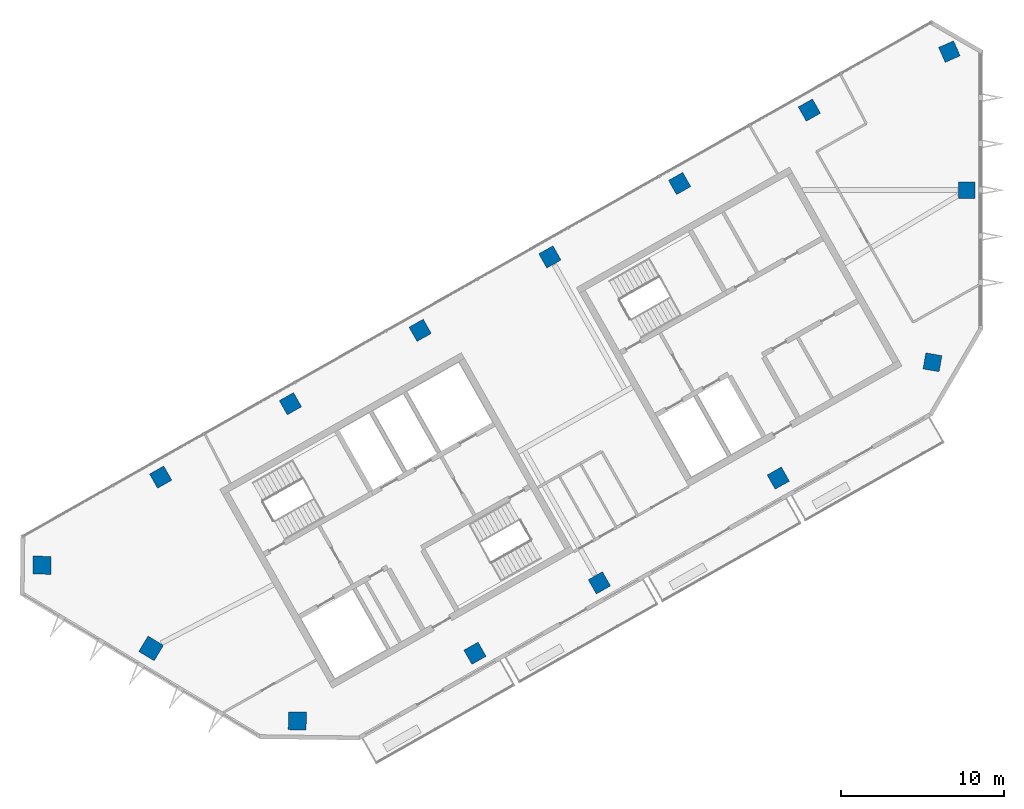
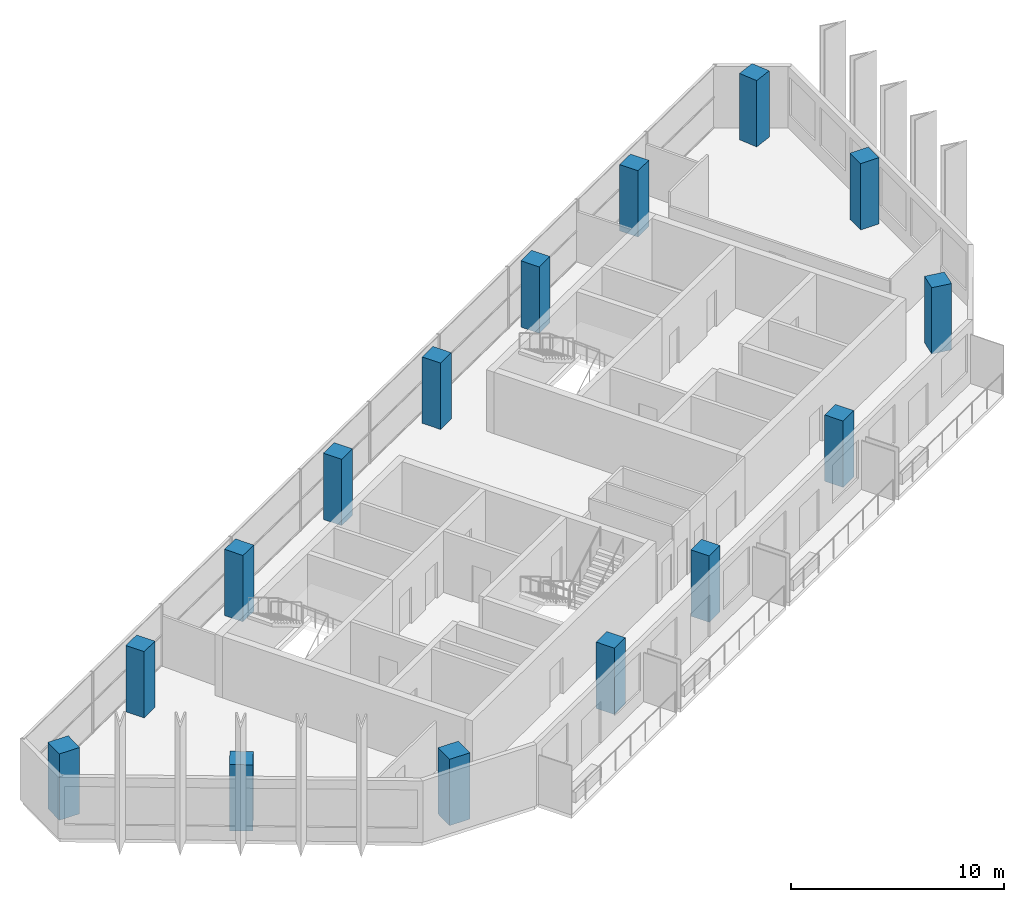
# One storey, part 1 of 10: 15 columns.
"""IFC4 building model written with IfcOpenShell, lengths in metres."""

from ifc_helpers import new_model, si_unit, direction, frame, origin, origin_2d, place, context, subcontext, project, spatial, rectangle, extrude, material, material_profile, profile_set, type_object, element, save


model = new_model("IFC4")

# Units and contexts
model_context = context("Model", 3, precision=1e-05, world=origin(), true_north=direction((0.0, 1.0)))
body_context = subcontext(model_context, "Body", "Model", "MODEL_VIEW")
ifc_project = project(units=[si_unit("LENGTHUNIT", "METRE"), si_unit("AREAUNIT", "SQUARE_METRE"), si_unit("VOLUMEUNIT", "CUBIC_METRE"), si_unit("PLANEANGLEUNIT", "RADIAN"), si_unit("MASSUNIT", "GRAM", prefix="KILO")], contexts=[model_context])

# Site, building, storey
site_placement = place(None, origin())
site = spatial("IfcSite", under=ifc_project, at=site_placement, CompositionType="ELEMENT")
building_placement = place(site_placement, origin())
building = spatial("IfcBuilding", under=site, at=building_placement, Name="Binnacle Exchange Tower", CompositionType="ELEMENT")
storey_placement = place(building_placement, frame((0.0, 0.0, 316.5)))
storey = spatial("IfcBuildingStorey", under=building, at=storey_placement, Name="L71", CompositionType="ELEMENT", Elevation=316.5)

# Columns
ifc_material = material(Name="Concrete C50/60", Category="concrete")
ifc_material_profile_1 = material_profile(ifc_material, rectangle(XDim=1.0, YDim=1.0, at=origin_2d()), Name="Mega column 1000x1000 C50/60")
ifc_profile_set_1 = profile_set([ifc_material_profile_1], Name="Concrete C50/60")
column_type_1 = type_object("IfcColumnType", Name="Mega column 1000x1000 C50/60", PredefinedType="COLUMN", material=ifc_profile_set_1)
for number, where, z_axis, x_axis, name in (
    (1, (-10.4951171875, 64.901611328125, 0.0), (0.0, 0.0, 1.0), (-0.87035569594, -0.492423560103, 0.0), "S:COL:MC38:L71"),
    (2, (-18.44140625, 60.406005859375, 0.0), (0.0, 0.0, 1.0), (-0.87035569594, -0.492423560103, 0.0), "S:COL:MC29:L71"),
    (3, (-26.3876953125, 55.91015625, 0.0), (0.0, 0.0, 1.0), (-0.87035569594, -0.492423560103, 0.0), "S:COL:MC21:L71"),
    (4, (-34.333740234375, 51.414306640625, 0.0), (0.0, 0.0, 1.0), (-0.87035569594, -0.492423560103, 0.0), "S:COL:MC13:L71"),
    (5, (-42.280029296875, 46.918701171875, 0.0), (0.0, 0.0, 1.0), (-0.87035569594, -0.492423560103, 0.0), "S:COL:MC08:L71"),
    (6, (-50.226318359375, 42.4228515625, 0.0), (0.0, 0.0, 1.0), (-0.87035569594, -0.492423560103, 0.0), "S:COL:MC04:L71"),
    (7, (-30.9755859375, 31.63525390625, 0.0), (0.0, 0.0, 1.0), (0.87035569594, 0.492423560103, 0.0), "S:COL:MC07:L71"),
    (8, (-23.35595703125, 35.9462890625, 0.0), (0.0, 0.0, 1.0), (0.87035569594, 0.492423560103, 0.0), "S:COL:MC16:L71"),
    (9, (-2.955322265625, 49.45556640625, 0.0), (0.0, 0.0, 1.0), (-0.98522612636, 0.171258517854, 0.0), "S:COL:MC43:L71"),
    (10, (-0.85009765625, 60.0, 0.0), (0.0, 0.0, 1.0), (0.0, 1.0, 0.0), "S:COL:MC45:L71"),
    (11, (-1.920166015625, 68.4833984375, 0.0), (0.0, 0.0, 1.0), (-0.91471298536, -0.40410413808, 0.0), "S:COL:MC44:L71"),
    (12, (-12.39990234375, 42.36328125, 0.0), (0.0, 0.0, 1.0), (0.87035569594, 0.492423560103, 0.0), "S:COL:MC30:L71"),
):
    element("IfcColumn", number, at=place(storey_placement, frame(where, z_axis=z_axis, x_axis=x_axis)), inside=storey, type_object=column_type_1, Name=name, PredefinedType="COLUMN", context=body_context, shape_type="SweptSolid", body=[
        extrude(rectangle(XDim=1.0, YDim=1.0, at=origin_2d()), origin(), (0.0, 0.0, 1.0), 3.800048828125),
    ])
ifc_material_profile_2 = material_profile(ifc_material, rectangle(XDim=1.10009765625, YDim=1.10009765625, at=origin_2d()), Name="Mega column 1100x1100 C50/60")
ifc_profile_set_2 = profile_set([ifc_material_profile_2], Name="Concrete C50/60")
column_type_2 = type_object("IfcColumnType", Name="Mega column 1100x1100 C50/60", PredefinedType="COLUMN", material=ifc_profile_set_2)
for number, where, z_axis, x_axis, name in (
    (13, (-57.492919921875, 37.02734375, 0.0), (0.0, 0.0, 1.0), (-0.013089595571, -0.999914327574, 0.0), "S:COL:MC02:L71"),
    (14, (-50.81201171875, 31.930908203125, 0.0), (0.0, 0.0, 1.0), (0.857167300702, -0.51503807491, 0.0), "S:COL:MC01:L71"),
    (15, (-41.857666015625, 27.494873046875, 0.0), (0.0, 0.0, 1.0), (0.999914327574, -0.013089595571, 0.0), "S:COL:MC03:L71"),
):
    element("IfcColumn", number, at=place(storey_placement, frame(where, z_axis=z_axis, x_axis=x_axis)), inside=storey, type_object=column_type_2, Name=name, PredefinedType="COLUMN", context=body_context, shape_type="SweptSolid", body=[
        extrude(rectangle(XDim=1.10009765625, YDim=1.10009765625, at=origin_2d()), origin(), (0.0, 0.0, 1.0), 3.800048828125),
    ])

save(model, "model.ifc")
